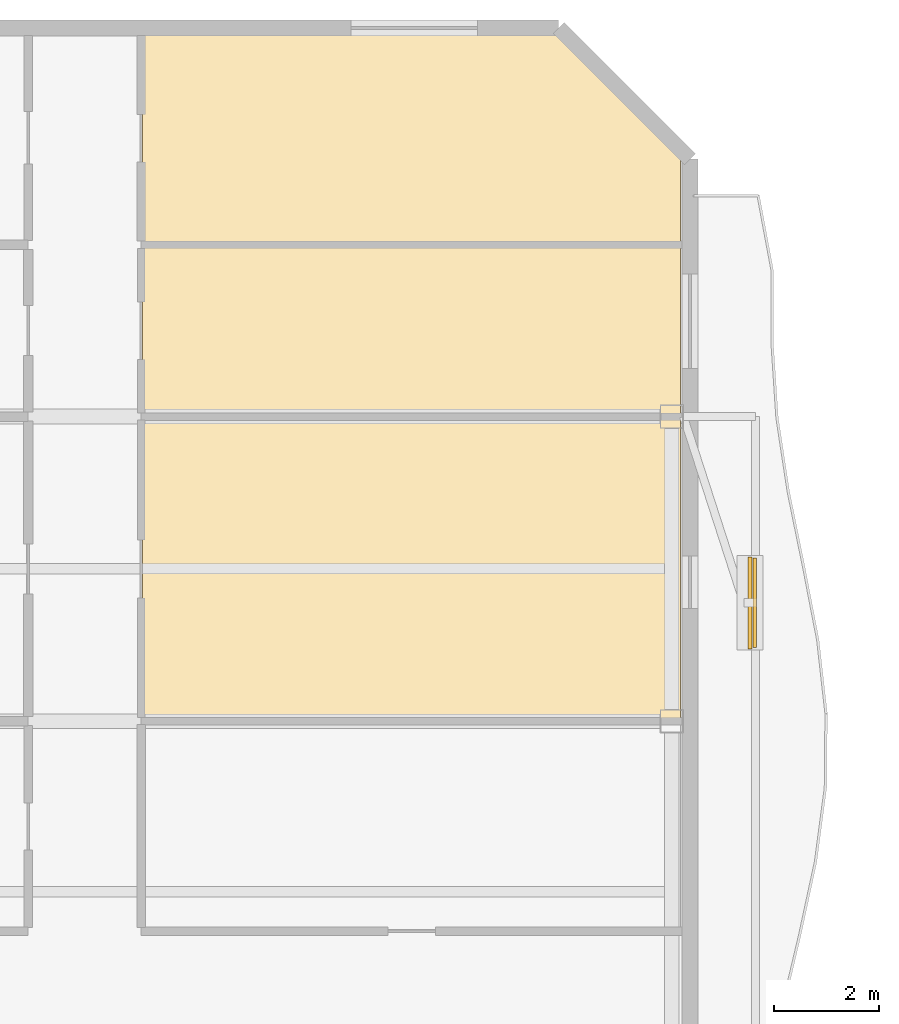
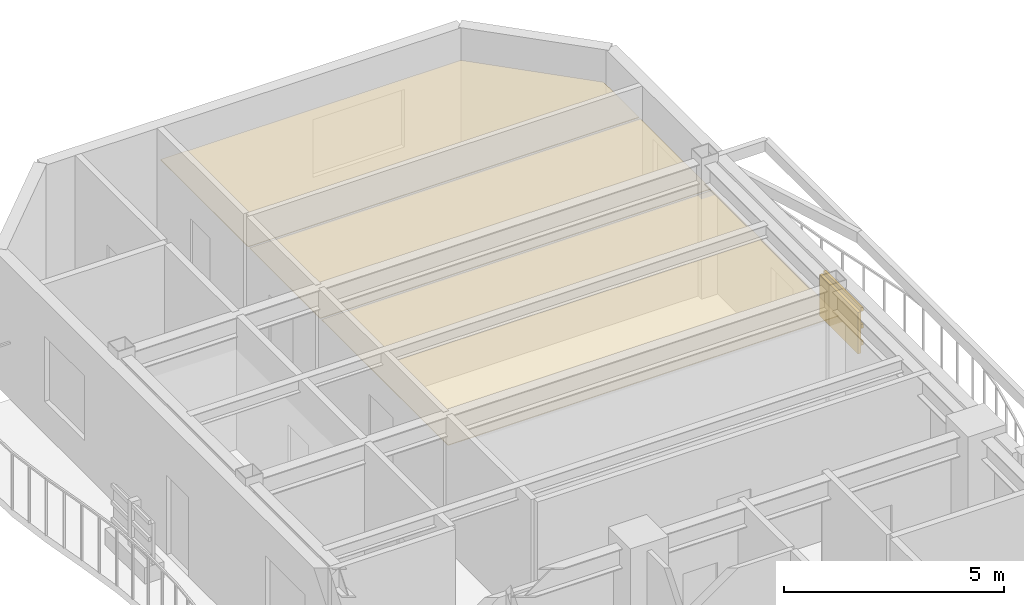
# One storey, part 9 of 9: 4 shading devices, 3 coverings.
"""IFC4 building model written with IfcOpenShell, lengths in metres."""

from ifc_helpers import new_model, si_unit, direction, frame, origin, origin_2d, place, context, subcontext, project, spatial, polyline, rectangle, outline, extrude, material, layer, layer_set, material_profile, profile_set, type_object, element, save


model = new_model("IFC4")

# Units and contexts
model_context = context("Model", 3, precision=1e-05, world=origin(), true_north=direction((0.0, 1.0)))
body_context = subcontext(model_context, "Body", "Model", "MODEL_VIEW")
ifc_project = project(units=[si_unit("LENGTHUNIT", "METRE"), si_unit("AREAUNIT", "SQUARE_METRE"), si_unit("VOLUMEUNIT", "CUBIC_METRE"), si_unit("PLANEANGLEUNIT", "RADIAN"), si_unit("MASSUNIT", "GRAM", prefix="KILO")], contexts=[model_context])

# Site, building, storey
site_placement = place(None, origin())
site = spatial("IfcSite", under=ifc_project, at=site_placement, CompositionType="ELEMENT")
building_placement = place(site_placement, origin())
building = spatial("IfcBuilding", under=site, at=building_placement, Name="Mawjaban Terraces University", CompositionType="ELEMENT")
storey_placement = place(building_placement, frame((0.0, 0.0, 222.60009765625)))
storey = spatial("IfcBuildingStorey", under=building, at=storey_placement, Name="L54", CompositionType="ELEMENT", Elevation=222.60009765625)

# Coverings
ifc_material_1 = material(Name="Acoustic mineral fibre ceiling tile", Category="masonry")
ifc_layer_1 = layer(ifc_material_1, 0.02001953125)
ifc_layer_set_1 = layer_set([ifc_layer_1], Name="Acoustic mineral fibre ceiling tile")
covering_type = type_object("IfcCoveringType", Name="AcousticMineralCeiling_20", PredefinedType="CEILING", material=ifc_layer_set_1)
covering_1_placement = place(storey_placement, frame((0.0, 0.0, 2.75)))
element("IfcCovering", 1, at=covering_1_placement, inside=storey, type_object=covering_type, Name="L54 Teaching Laboratory 11 Acoustic Ceiling", PredefinedType="CEILING", context=body_context, shape_type="SweptSolid", body=[
    extrude(outline(polyline([(37.820068359375, 30.030029296875), (37.820068359375, 35.77001953125), (27.580078125, 35.77001953125), (27.580078125, 30.030029296875), (37.820068359375, 30.030029296875)])), origin(), (0.0, 0.0, 1.0), 0.02001953125),
])
covering_2_placement = place(storey_placement, frame((0.0, 0.0, 2.75)))
element("IfcCovering", 2, at=covering_2_placement, inside=storey, type_object=covering_type, Name="L54 Computational Laboratory 13 Acoustic Ceiling", PredefinedType="CEILING", context=body_context, shape_type="SweptSolid", body=[
    extrude(outline(polyline([(37.820068359375, 35.830078125), (37.820068359375, 39.0419921875), (27.580078125, 39.0419921875), (27.580078125, 35.830078125), (37.820068359375, 35.830078125)])), origin(), (0.0, 0.0, 1.0), 0.02001953125),
])
covering_3_placement = place(storey_placement, frame((0.0, 0.0, 2.75)))
element("IfcCovering", 3, at=covering_3_placement, inside=storey, type_object=covering_type, Name="L54 Academic Counseling Room 15 Acoustic Ceiling", PredefinedType="CEILING", context=body_context, shape_type="SweptSolid", body=[
    extrude(outline(polyline([(37.820068359375, 40.718017578125), (35.452880859375, 43.0849609375), (27.580078125, 43.0849609375), (27.580078125, 39.10205078125), (37.820068359375, 39.10205078125), (37.820068359375, 40.718017578125)])), origin(), (0.0, 0.0, 1.0), 0.02001953125),
])

# Shading devices
ifc_material_2 = material(Name="Glazed architectural terracotta ceramic", Category="masonry")
ifc_material_profile = material_profile(ifc_material_2, rectangle(XDim=0.06494140625, YDim=0.110107421875, at=origin_2d()), Name="TBAG110X65")
ifc_profile_set = profile_set([ifc_material_profile], Name="Glazed architectural terracotta ceramic")
shading_device_type_1 = type_object("IfcShadingDeviceType", Name="TerracottaBaguette_110x65", PredefinedType="USERDEFINED", material=ifc_profile_set)
for number, where, z_axis, x_axis, name in (
    (4, (39.22900390625, 31.404052734375, 0.679931640625), (0.0, 1.0, 0.0), (-1.0, 0.0, 0.0), "L54 Horizontal Terracotta Baguette inner_east.1"),
    (5, (39.22900390625, 31.404052734375, 1.14990234375), (0.0, 1.0, 0.0), (-1.0, 0.0, 0.0), "L54 Horizontal Terracotta Baguette inner_east.2"),
    (6, (39.22900390625, 31.404052734375, 1.619873046875), (0.0, 1.0, 0.0), (-1.0, 0.0, 0.0), "L54 Horizontal Terracotta Baguette inner_east.3"),
):
    element("IfcShadingDevice", number, at=place(storey_placement, frame(where, z_axis=z_axis, x_axis=x_axis)), inside=storey, type_object=shading_device_type_1, Name=name, ObjectType="BAGUETTE", PredefinedType="USERDEFINED", context=body_context, shape_type="SweptSolid", body=[
        extrude(rectangle(XDim=0.06494140625, YDim=0.110107421875, at=origin_2d()), origin(), (0.0, 0.0, 1.0), 1.699951171875),
    ])
ifc_layer_2 = layer(ifc_material_2, 0.080078125)
ifc_layer_set_2 = layer_set([ifc_layer_2], Name="Glazed architectural terracotta ceramic")
shading_device_type_2 = type_object("IfcShadingDeviceType", Name="TerracottaScreen_Perforated", PredefinedType="USERDEFINED", material=ifc_layer_set_2)
shading_device_placement = place(storey_placement, frame((39.14404296875, 32.25390625, 0.43994140625), z_axis=(0.0, 0.0, 1.0), x_axis=(0.0, 1.0, 0.0)))
element("IfcShadingDevice", 7, at=shading_device_placement, inside=storey, type_object=shading_device_type_2, Name="L54 Balcony Perforated Terracotta Screen inner_east", ObjectType="SCREEN", PredefinedType="USERDEFINED", context=body_context, shape_type="SweptSolid", body=[
    extrude(rectangle(XDim=1.75, YDim=0.080078125, at=origin_2d()), origin(), (0.0, 0.0, 1.0), 1.14990234375),
])

save(model, "model.ifc")
